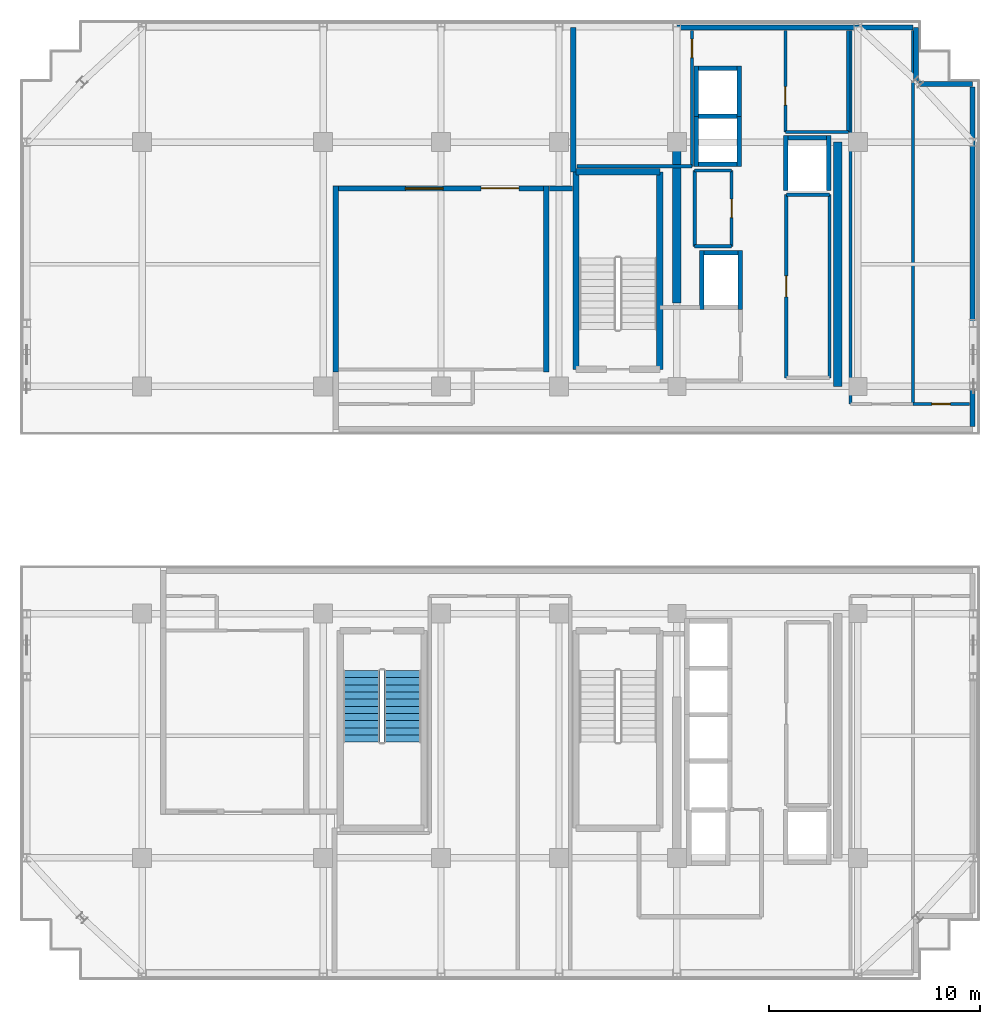
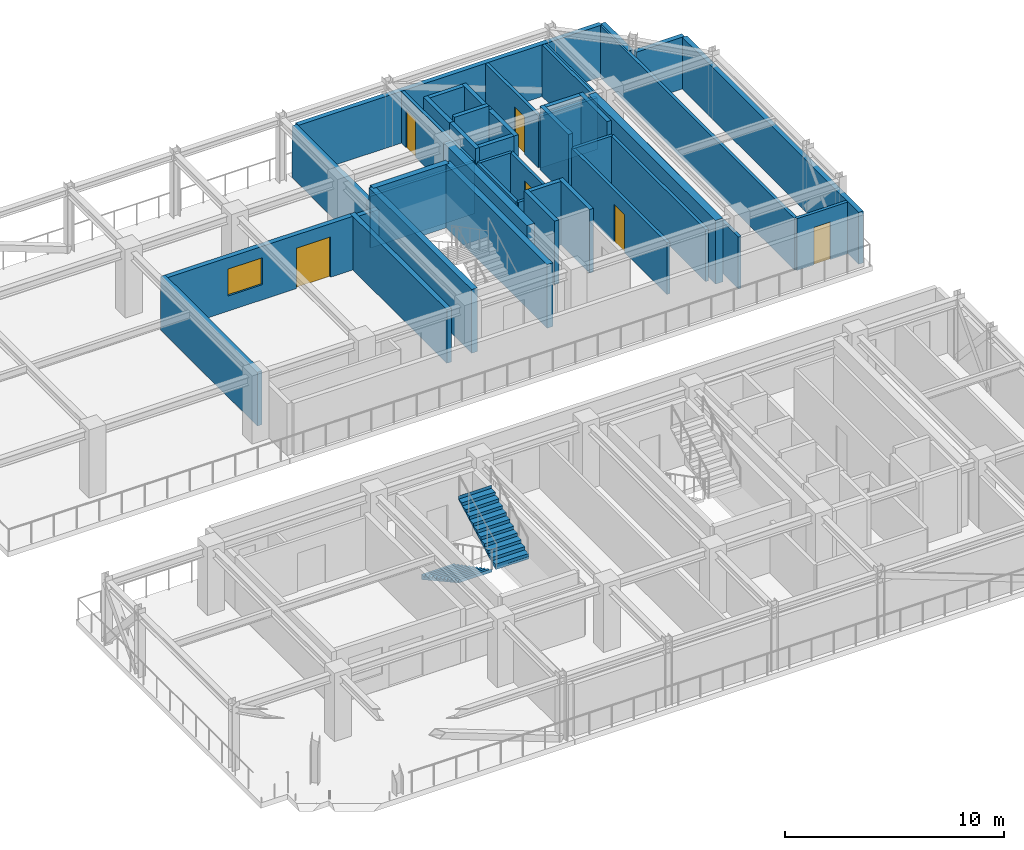
# One storey, part 7 of 14: 42 walls, 6 doors, 2 stair flights, 1 window, 7 openings, 1 element without a shape of its own.
"""IFC4 building model written with IfcOpenShell, lengths in metres."""

from ifc_helpers import new_model, si_unit, direction, frame, frame_2d, origin, place, context, subcontext, project, spatial, polyline, rectangle, outline, extrude, source, transform, mapped, material, layer, layer_set, type_object, element, fill, aggregate, save


model = new_model("IFC4")

# Units and contexts
model_context = context("Model", 3, precision=1e-05, world=origin(), true_north=direction((0.0, 1.0)))
body_context = subcontext(model_context, "Body", "Model", "MODEL_VIEW")
ifc_project = project(units=[si_unit("LENGTHUNIT", "METRE"), si_unit("AREAUNIT", "SQUARE_METRE"), si_unit("VOLUMEUNIT", "CUBIC_METRE"), si_unit("PLANEANGLEUNIT", "RADIAN"), si_unit("MASSUNIT", "GRAM", prefix="KILO")], contexts=[model_context])

# Site, building, storey
site_placement = place(None, origin())
site = spatial("IfcSite", under=ifc_project, at=site_placement, CompositionType="ELEMENT")
building_placement = place(site_placement, origin())
building = spatial("IfcBuilding", under=site, at=building_placement, Name="Nahalor Promenade Grand Hotel", CompositionType="ELEMENT")
storey_placement = place(building_placement, frame((0.0, 0.0, 296.5)))
storey = spatial("IfcBuildingStorey", under=building, at=storey_placement, Name="L76", CompositionType="ELEMENT", Elevation=296.5)

# Walls
ifc_material_1 = material(Name="Concrete B-50 (C40/50)", Category="concrete")
ifc_layer_1 = layer(ifc_material_1, 0.39990234375)
ifc_layer_set_1 = layer_set([ifc_layer_1], Name="Concrete B-50 (C40/50)")
wall_type_1 = type_object("IfcWallType", Name="Wall-CoreShear-400", PredefinedType="SHEAR", material=ifc_layer_set_1)
shared_shape_1 = source(origin(), body_context, "Body", "SweptSolid", [
    extrude(rectangle(XDim=7.64990234375, YDim=0.39990234375, at=frame_2d((3.824951171875, 0.0))), origin(), (0.0, 0.0, 1.0), 3.550048828125),
])
wall_1_placement = place(storey_placement, frame((8.39990234375, 9.35009765625, 0.0), z_axis=(0.0, 0.0, 1.0), x_axis=(0.0, 1.0, 0.0)))
element("IfcWall", 1, at=wall_1_placement, inside=storey, type_object=wall_type_1, Name="CWALL-L76-NW", PredefinedType="SHEAR", context=body_context, shape_type="MappedRepresentation", body=[
    mapped(shared_shape_1, transform((0.0, 0.0, 0.0), scale=1.0)),
])
shared_shape_2 = source(origin(), body_context, "Body", "SweptSolid", [
    extrude(rectangle(XDim=11.60009765625, YDim=0.39990234375, at=frame_2d((5.800048828125, 0.0))), origin(), (0.0, 0.0, 1.0), 3.550048828125),
])
wall_2_placement = place(storey_placement, frame((16.050048828125, 5.39990234375, 0.0), z_axis=(0.0, 0.0, 1.0), x_axis=(0.0, 1.0, 0.0)))
element("IfcWall", 2, at=wall_2_placement, inside=storey, type_object=wall_type_1, Name="CWALL-L76-NE", PredefinedType="SHEAR", context=body_context, shape_type="MappedRepresentation", body=[
    mapped(shared_shape_2, transform((0.0, 0.0, 0.0), scale=1.0)),
])
ifc_layer_2 = layer(ifc_material_1, 0.300048828125)
ifc_layer_set_2 = layer_set([ifc_layer_2], Name="Concrete B-50 (C40/50)")
wall_type_2 = type_object("IfcWallType", Name="Wall-ShaftShear-300", PredefinedType="SHEAR", material=ifc_layer_set_2)
shared_shape_3 = source(origin(), body_context, "Body", "SweptSolid", [
    extrude(rectangle(XDim=3.97998046875, YDim=0.300048828125, at=frame_2d((1.989990234375, 0.0))), origin(), (0.0, 0.0, 1.0), 3.550048828125),
])
wall_3_placement = place(storey_placement, frame((3.610107421875, 15.590087890625, 0.0), z_axis=(0.0, 0.0, 1.0), x_axis=(1.0, 0.0, 0.0)))
element("IfcWall", 3, at=wall_3_placement, inside=storey, type_object=wall_type_2, Name="L76 Exit Stair ST1 Shaft Wall N", PredefinedType="SHEAR", context=body_context, shape_type="MappedRepresentation", body=[
    mapped(shared_shape_3, transform((0.0, 0.0, 0.0), scale=1.0)),
])
shared_shape_4 = source(origin(), body_context, "Body", "SweptSolid", [
    extrude(rectangle(XDim=9.380126953125, YDim=0.300048828125, at=frame_2d((4.68994140625, 0.0))), origin(), (0.0, 0.0, 1.0), 3.550048828125),
])
for number, where, z_axis, x_axis, name in (
    (4, (3.610107421875, 6.2099609375, 0.0), (0.0, 0.0, 1.0), (0.0, 1.0, 0.0), "L76 Exit Stair ST1 Shaft Wall W"),
    (5, (7.590087890625, 6.2099609375, 0.0), (0.0, 0.0, 1.0), (0.0, 1.0, 0.0), "L76 Exit Stair ST1 Shaft Wall E"),
):
    element("IfcWall", number, at=place(storey_placement, frame(where, z_axis=z_axis, x_axis=x_axis)), inside=storey, type_object=wall_type_2, Name=name, PredefinedType="SHEAR", context=body_context, shape_type="MappedRepresentation", body=[
        mapped(shared_shape_4, transform((0.0, 0.0, 0.0), scale=1.0)),
    ])
ifc_layer_3 = layer(ifc_material_1, 0.219970703125)
ifc_layer_set_3 = layer_set([ifc_layer_3], Name="Concrete B-50 (C40/50)")
wall_type_3 = type_object("IfcWallType", Name="Wall-LiftShaft-220", PredefinedType="SHEAR", material=ifc_layer_set_3)
shared_shape_5 = source(origin(), body_context, "Body", "SweptSolid", [
    extrude(rectangle(XDim=1.820068359375, YDim=0.219970703125, at=frame_2d((0.91015625, 0.0))), origin(), (0.0, 0.0, 1.0), 3.550048828125),
])
for number, where, z_axis, x_axis, name in (
    (6, (9.43994140625, 15.949951171875, 0.0), (0.0, 0.0, 1.0), (1.0, 0.0, 0.0), "L76 Lift OB1 Hoistway Wall S"),
    (7, (9.43994140625, 20.5, 0.0), (0.0, 0.0, 1.0), (1.0, 0.0, 0.0), "L76 Lift OB2 Hoistway Wall N"),
    (8, (13.68994140625, 17.199951171875, 0.0), (0.0, 0.0, 1.0), (1.0, 0.0, 0.0), "L76 Lift SV1 Hoistway Wall N"),
):
    element("IfcWall", number, at=place(storey_placement, frame(where, z_axis=z_axis, x_axis=x_axis)), inside=storey, type_object=wall_type_3, Name=name, PredefinedType="SHEAR", context=body_context, shape_type="MappedRepresentation", body=[
        mapped(shared_shape_5, transform((0.0, 0.0, 0.0), scale=1.0)),
    ])
shared_shape_6 = source(origin(), body_context, "Body", "SweptSolid", [
    extrude(rectangle(XDim=1.820068359375, YDim=0.219970703125, at=frame_2d((0.91015625, 0.0))), origin(), (0.0, 0.0, 1.0), 3.85009765625),
])
wall_4_placement = place(storey_placement, frame((9.43994140625, 18.22509765625, 0.0), z_axis=(0.0, 0.0, 1.0), x_axis=(1.0, 0.0, 0.0)))
element("IfcWall", 9, at=wall_4_placement, inside=storey, type_object=wall_type_3, Name="L76 Lift OB1 Hoistway Wall N", PredefinedType="SHEAR", context=body_context, shape_type="MappedRepresentation", body=[
    mapped(shared_shape_6, transform((0.0, 0.0, 0.0), scale=1.0)),
])
shared_shape_7 = source(origin(), body_context, "Body", "SweptSolid", [
    extrude(rectangle(XDim=2.385009765625, YDim=0.219970703125, at=frame_2d((1.1923828125, 0.0))), origin(), (0.0, 0.0, 1.0), 3.550048828125),
])
for number, where, z_axis, x_axis, name in (
    (10, (9.330078125, 15.840087890625, 0.0), (0.0, 0.0, 1.0), (0.0, 1.0, 0.0), "L76 Lift OB1 Hoistway Wall W"),
    (11, (11.3701171875, 15.840087890625, 0.0), (0.0, 0.0, 1.0), (0.0, 1.0, 0.0), "L76 Lift OB1 Hoistway Wall E"),
    (12, (9.330078125, 18.22509765625, 0.0), (0.0, 0.0, 1.0), (0.0, 1.0, 0.0), "L76 Lift OB2 Hoistway Wall W"),
    (13, (11.3701171875, 18.22509765625, 0.0), (0.0, 0.0, 1.0), (0.0, 1.0, 0.0), "L76 Lift OB2 Hoistway Wall E"),
):
    element("IfcWall", number, at=place(storey_placement, frame(where, z_axis=z_axis, x_axis=x_axis)), inside=storey, type_object=wall_type_3, Name=name, PredefinedType="SHEAR", context=body_context, shape_type="MappedRepresentation", body=[
        mapped(shared_shape_7, transform((0.0, 0.0, 0.0), scale=1.0)),
    ])
shared_shape_8 = source(origin(), body_context, "Body", "SweptSolid", [
    extrude(rectangle(XDim=2.820068359375, YDim=0.219970703125, at=frame_2d((1.41015625, 0.0))), origin(), (0.0, 0.0, 1.0), 3.550048828125),
])
for number, where, z_axis, x_axis, name in (
    (14, (9.580078125, 9.0400390625, 0.0), (0.0, 0.0, 1.0), (0.0, 1.0, 0.0), "L76 Lift FL1 Hoistway Wall W"),
    (15, (11.419921875, 9.0400390625, 0.0), (0.0, 0.0, 1.0), (0.0, 1.0, 0.0), "L76 Lift FL1 Hoistway Wall E"),
):
    element("IfcWall", number, at=place(storey_placement, frame(where, z_axis=z_axis, x_axis=x_axis)), inside=storey, type_object=wall_type_3, Name=name, PredefinedType="SHEAR", context=body_context, shape_type="MappedRepresentation", body=[
        mapped(shared_shape_8, transform((0.0, 0.0, 0.0), scale=1.0)),
    ])
shared_shape_9 = source(origin(), body_context, "Body", "SweptSolid", [
    extrude(rectangle(XDim=1.6201171875, YDim=0.219970703125, at=frame_2d((0.81005859375, 0.0))), origin(), (0.0, 0.0, 1.0), 3.550048828125),
])
wall_5_placement = place(storey_placement, frame((9.68994140625, 11.75, 0.0), z_axis=(0.0, 0.0, 1.0), x_axis=(1.0, 0.0, 0.0)))
element("IfcWall", 16, at=wall_5_placement, inside=storey, type_object=wall_type_3, Name="L76 Lift FL1 Hoistway Wall N", PredefinedType="SHEAR", context=body_context, shape_type="MappedRepresentation", body=[
    mapped(shared_shape_9, transform((0.0, 0.0, 0.0), scale=1.0)),
])
shared_shape_10 = source(origin(), body_context, "Body", "SweptSolid", [
    extrude(rectangle(XDim=2.610107421875, YDim=0.219970703125, at=frame_2d((1.30517578125, 0.0))), origin(), (0.0, 0.0, 1.0), 3.550048828125),
])
for number, where, z_axis, x_axis, name in (
    (17, (13.580078125, 14.699951171875, 0.0), (0.0, 0.0, 1.0), (0.0, 1.0, 0.0), "L76 Lift SV1 Hoistway Wall W"),
    (18, (15.6201171875, 14.699951171875, 0.0), (0.0, 0.0, 1.0), (0.0, 1.0, 0.0), "L76 Lift SV1 Hoistway Wall E"),
):
    element("IfcWall", number, at=place(storey_placement, frame(where, z_axis=z_axis, x_axis=x_axis)), inside=storey, type_object=wall_type_3, Name=name, PredefinedType="SHEAR", context=body_context, shape_type="MappedRepresentation", body=[
        mapped(shared_shape_10, transform((0.0, 0.0, 0.0), scale=1.0)),
    ])
ifc_material_2 = material(Name="Concrete B-40 (C32/40)", Category="concrete")
ifc_layer_4 = layer(ifc_material_2, 0.25)
ifc_layer_set_4 = layer_set([ifc_layer_4], Name="Concrete B-40 (C32/40)")
wall_type_4 = type_object("IfcWallType", Name="Wall-BronzePier-250", PredefinedType="STANDARD", material=ifc_layer_set_4)
shared_shape_11 = source(origin(), body_context, "Body", "SweptSolid", [
    extrude(rectangle(XDim=8.83984375, YDim=0.25, at=frame_2d((4.419921875, 0.0))), origin(), (0.0, 0.0, 1.0), 2.989990234375),
])
for number, where, z_axis, x_axis, name in (
    (19, (-7.800048828125, 6.080078125, 0.0), (0.0, 0.0, 1.0), (0.0, 1.0, 0.0), "W-L76-WPGAL-N-W"),
    (20, (2.199951171875, 6.080078125, 0.0), (0.0, 0.0, 1.0), (0.0, 1.0, 0.0), "W-L76-WPGAL-N-E"),
):
    element("IfcWall", number, at=place(storey_placement, frame(where, z_axis=z_axis, x_axis=x_axis)), inside=storey, type_object=wall_type_4, Name=name, PredefinedType="STANDARD", context=body_context, shape_type="MappedRepresentation", body=[
        mapped(shared_shape_11, transform((0.0, 0.0, 0.0), scale=1.0)),
    ])

# Wall, openings, door, window
shared_shape_12 = source(origin(), body_context, "Body", "SweptSolid", [
    extrude(rectangle(XDim=9.760009765625, YDim=0.25, at=frame_2d((4.8798828125, 0.0))), origin(), (0.0, 0.0, 1.0), 2.989990234375),
])
wall_6_placement = place(storey_placement, frame((-7.679931640625, 14.800048828125, 0.0), z_axis=(0.0, 0.0, 1.0), x_axis=(1.0, 0.0, 0.0)))
wall_6 = element("IfcWall", 21, at=wall_6_placement, inside=storey, type_object=wall_type_4, Name="W-L76-WPGAL-N-N", PredefinedType="STANDARD", context=body_context, shape_type="MappedRepresentation", body=[
    mapped(shared_shape_12, transform((0.0, 0.0, 0.0), scale=1.0)),
])
opening_1_placement = place(wall_6_placement, frame((6.780029296875, 0.0, 0.0)))
opening_1 = element("IfcOpeningElement", 22, at=opening_1_placement, cuts=wall_6, Name="Opening D-BC1", PredefinedType="OPENING", context=body_context, shape_type="SweptSolid", body=[
    extrude(rectangle(XDim=1.800048828125, YDim=2.25, at=frame_2d((0.89990234375, 1.125))), frame((0.0, 0.135009765625, 0.0), z_axis=(0.0, -1.0, 0.0), x_axis=(1.0, 0.0, 0.0)), (0.0, 0.0, 1.0), 0.27001953125),
])
opening_2_placement = place(wall_6_placement, frame((3.179931640625, 0.0, 0.85009765625)))
opening_2 = element("IfcOpeningElement", 23, at=opening_2_placement, cuts=wall_6, Name="Opening WN-01", PredefinedType="OPENING", context=body_context, shape_type="SweptSolid", body=[
    extrude(rectangle(XDim=1.800048828125, YDim=1.5, at=frame_2d((0.89990234375, 0.75))), frame((0.0, 0.135009765625, 0.0), z_axis=(0.0, -1.0, 0.0), x_axis=(1.0, 0.0, 0.0)), (0.0, 0.0, 1.0), 0.27001953125),
])
ifc_material_3 = material(Name="Anodised Bronze Aluminium EN AW-6063 T6", Category="aluminium")
door_type_1 = type_object("IfcDoorType", Name="Door-BalconySlide-1800", OperationType="DOUBLE_DOOR_SLIDING", PredefinedType="DOOR", material=ifc_material_3)
shared_shape_13 = source(origin(), body_context, "Body", "SweptSolid", [
    extrude(rectangle(XDim=1.800048828125, YDim=2.25, at=frame_2d((0.89990234375, 1.125))), frame((0.0, 0.02490234375, 0.0), z_axis=(0.0, -1.0, 0.0), x_axis=(1.0, 0.0, 0.0)), (0.0, 0.0, 1.0), 0.050048828125),
])
door_1_placement = place(opening_1_placement, origin())
door_1 = element("IfcDoor", 24, at=door_1_placement, inside=storey, type_object=door_type_1, Name="DR-L76-WP-N", OperationType="DOUBLE_DOOR_SLIDING", OverallHeight=2.25, OverallWidth=1.800048828125, PredefinedType="DOOR", context=body_context, shape_type="MappedRepresentation", body=[
    mapped(shared_shape_13, transform((0.0, 0.0, 0.0), scale=1.0)),
])
fill(opening_1, door_1)
ifc_material_4 = material(Name="Low-E Laminated Solar Glass", Category="glass")
window_type = type_object("IfcWindowType", Name="Win-ChicagoBay-1800x1500", PartitioningType="SINGLE_PANEL", PredefinedType="WINDOW", material=ifc_material_4)
shared_shape_14 = source(origin(), body_context, "Body", "SweptSolid", [
    extrude(rectangle(XDim=1.800048828125, YDim=1.5, at=frame_2d((0.89990234375, 0.75))), frame((0.0, 0.030029296875, 0.0), z_axis=(0.0, -1.0, 0.0), x_axis=(1.0, 0.0, 0.0)), (0.0, 0.0, 1.0), 0.06005859375),
])
window_placement = place(opening_2_placement, origin())
window = element("IfcWindow", 25, at=window_placement, inside=storey, type_object=window_type, Name="WN-L76-WP-N", OverallHeight=1.5, OverallWidth=1.800048828125, PartitioningType="SINGLE_PANEL", PredefinedType="WINDOW", context=body_context, shape_type="MappedRepresentation", body=[
    mapped(shared_shape_14, transform((0.0, 0.0, 0.0), scale=1.0)),
])
fill(opening_2, window)

# Walls
ifc_material_5 = material(Name="Acoustic Mineral Gypsum", Category="gypsum")
ifc_layer_5 = layer(ifc_material_5, 0.14990234375)
ifc_layer_set_5 = layer_set([ifc_layer_5], Name="Acoustic Mineral Gypsum")
wall_type_5 = type_object("IfcWallType", Name="Wall-PartService-150", PredefinedType="PARTITIONING", material=ifc_layer_set_5)
shared_shape_15 = source(origin(), body_context, "Body", "SweptSolid", [
    extrude(rectangle(XDim=1.75, YDim=0.14990234375, at=frame_2d((0.875, 0.0))), origin(), (0.0, 0.0, 1.0), 2.889892578125),
])
for number, where, z_axis, x_axis, name in (
    (26, (9.25, 12.050048828125, 0.0), (0.0, 0.0, 1.0), (1.0, 0.0, 0.0), "W-L76-CK1A-S"),
    (27, (9.25, 15.64990234375, 0.0), (0.0, 0.0, 1.0), (1.0, 0.0, 0.0), "W-L76-CK1A-N"),
):
    element("IfcWall", number, at=place(storey_placement, frame(where, z_axis=z_axis, x_axis=x_axis)), inside=storey, type_object=wall_type_5, Name=name, PredefinedType="PARTITIONING", context=body_context, shape_type="MappedRepresentation", body=[
        mapped(shared_shape_15, transform((0.0, 0.0, 0.0), scale=1.0)),
    ])
ifc_layer_6 = layer(ifc_material_5, 0.159912109375)
ifc_layer_set_6 = layer_set([ifc_layer_6], Name="Acoustic Mineral Gypsum")
wall_type_6 = type_object("IfcWallType", Name="Wall-PartCorridor-160", PredefinedType="PARTITIONING", material=ifc_layer_set_6)
shared_shape_16 = source(origin(), body_context, "Body", "SweptSolid", [
    extrude(rectangle(XDim=2.0498046875, YDim=0.159912109375, at=frame_2d((1.02490234375, 0.0))), origin(), (0.0, 0.0, 1.0), 2.889892578125),
])
wall_7_placement = place(storey_placement, frame((13.60009765625, 14.5, 0.0), z_axis=(0.0, 0.0, 1.0), x_axis=(1.0, 0.0, 0.0)))
element("IfcWall", 28, at=wall_7_placement, inside=storey, type_object=wall_type_6, Name="W-L76-FRB1-N", PredefinedType="PARTITIONING", context=body_context, shape_type="MappedRepresentation", body=[
    mapped(shared_shape_16, transform((0.0, 0.0, 0.0), scale=1.0)),
])
shared_shape_17 = source(origin(), body_context, "Body", "SweptSolid", [
    extrude(rectangle(XDim=3.599853515625, YDim=0.14990234375, at=frame_2d((1.7998046875, 0.0))), origin(), (0.0, 0.0, 1.0), 2.889892578125),
])
wall_8_placement = place(storey_placement, frame((9.25, 12.050048828125, 0.0), z_axis=(0.0, 0.0, 1.0), x_axis=(0.0, 1.0, 0.0)))
element("IfcWall", 29, at=wall_8_placement, inside=storey, type_object=wall_type_5, Name="W-L76-CK1A-W", PredefinedType="PARTITIONING", context=body_context, shape_type="MappedRepresentation", body=[
    mapped(shared_shape_17, transform((0.0, 0.0, 0.0), scale=1.0)),
])

# Wall, opening, door
wall_9_placement = place(storey_placement, frame((11.0, 12.050048828125, 0.0), z_axis=(0.0, 0.0, 1.0), x_axis=(0.0, 1.0, 0.0)))
wall_9 = element("IfcWall", 30, at=wall_9_placement, inside=storey, type_object=wall_type_5, Name="W-L76-CK1A-E", PredefinedType="PARTITIONING", context=body_context, shape_type="MappedRepresentation", body=[
    mapped(shared_shape_17, transform((0.0, 0.0, 0.0), scale=1.0)),
])
opening_3_placement = place(wall_9_placement, frame((1.360107421875, 0.0, 0.0)))
opening_3 = element("IfcOpeningElement", 31, at=opening_3_placement, cuts=wall_9, Name="Opening D-03", PredefinedType="OPENING", context=body_context, shape_type="SweptSolid", body=[
    extrude(rectangle(XDim=0.8798828125, YDim=2.10009765625, at=frame_2d((0.43994140625, 1.050048828125))), frame((0.0, 0.0849609375, 0.0), z_axis=(0.0, -1.0, 0.0), x_axis=(1.0, 0.0, 0.0)), (0.0, 0.0, 1.0), 0.169921875),
])
ifc_material_6 = material(Name="Fire-Rated Timber Composite", Category="wood")
door_type_2 = type_object("IfcDoorType", Name="Door-BathSwing-880", OperationType="NOTDEFINED", PredefinedType="DOOR", material=ifc_material_6)
shared_shape_18 = source(origin(), body_context, "Body", "SweptSolid", [
    extrude(rectangle(XDim=0.8798828125, YDim=2.10009765625, at=frame_2d((0.43994140625, 1.050048828125))), frame((0.0, 0.02490234375, 0.0), z_axis=(0.0, -1.0, 0.0), x_axis=(1.0, 0.0, 0.0)), (0.0, 0.0, 1.0), 0.050048828125),
])
door_2_placement = place(opening_3_placement, origin())
door_2 = element("IfcDoor", 32, at=door_2_placement, inside=storey, type_object=door_type_2, Name="DR-L76-CK1A", OperationType="SINGLE_SWING_LEFT", OverallHeight=2.10009765625, OverallWidth=0.8798828125, PredefinedType="DOOR", context=body_context, shape_type="MappedRepresentation", body=[
    mapped(shared_shape_18, transform((0.0, 0.0, 0.0), scale=1.0)),
])
fill(opening_3, door_2)

# Walls
shared_shape_19 = source(origin(), body_context, "Body", "SweptSolid", [
    extrude(rectangle(XDim=1.08984375, YDim=0.25, at=frame_2d((0.544921875, 0.0))), origin(), (0.0, 0.0, 1.0), 2.889892578125),
])
wall_10_placement = place(storey_placement, frame((2.360107421875, 14.800048828125, 0.0), z_axis=(0.0, 0.0, 1.0), x_axis=(1.0, 0.0, 0.0)))
element("IfcWall", 33, at=wall_10_placement, inside=storey, type_object=wall_type_4, Name="W-L76-WPENV-NM1", PredefinedType="STANDARD", context=body_context, shape_type="MappedRepresentation", body=[
    mapped(shared_shape_19, transform((0.0, 0.0, 0.0), scale=1.0)),
])
shared_shape_20 = source(origin(), body_context, "Body", "SweptSolid", [
    extrude(rectangle(XDim=6.85986328125, YDim=0.25, at=frame_2d((3.429931640625, 0.0))), origin(), (0.0, 0.0, 1.0), 2.889892578125),
])
wall_11_placement = place(storey_placement, frame((3.47998046875, 15.580078125, 0.0), z_axis=(0.0, 0.0, 1.0), x_axis=(0.0, 1.0, 0.0)))
element("IfcWall", 34, at=wall_11_placement, inside=storey, type_object=wall_type_4, Name="W-L76-WPENV-NM2", PredefinedType="STANDARD", context=body_context, shape_type="MappedRepresentation", body=[
    mapped(shared_shape_20, transform((0.0, 0.0, 0.0), scale=1.0)),
])
shared_shape_21 = source(origin(), body_context, "Body", "SweptSolid", [
    extrude(rectangle(XDim=16.0, YDim=0.25, at=frame_2d((8.0, 0.0))), origin(), (0.0, 0.0, 1.0), 2.889892578125),
])
wall_12_placement = place(storey_placement, frame((3.6201171875, 22.43994140625, 0.0), z_axis=(0.0, 0.0, 1.0), x_axis=(1.0, 0.0, 0.0)))
element("IfcWall", 35, at=wall_12_placement, inside=storey, type_object=wall_type_4, Name="W-L76-WPENV-NN", PredefinedType="STANDARD", context=body_context, shape_type="MappedRepresentation", body=[
    mapped(shared_shape_21, transform((0.0, 0.0, 0.0), scale=1.0)),
])
shared_shape_22 = source(origin(), body_context, "Body", "SweptSolid", [
    extrude(rectangle(XDim=2.5400390625, YDim=0.25, at=frame_2d((1.27001953125, 0.0))), origin(), (0.0, 0.0, 1.0), 2.889892578125),
])
for number, where, z_axis, x_axis, name in (
    (36, (19.760009765625, 19.89990234375, 0.0), (0.0, 0.0, 1.0), (0.0, 1.0, 0.0), "W-L76-WPENV-NNE1"),
    (37, (19.89990234375, 19.760009765625, 0.0), (0.0, 0.0, 1.0), (1.0, 0.0, 0.0), "W-L76-WPENV-NNE2"),
):
    element("IfcWall", number, at=place(storey_placement, frame(where, z_axis=z_axis, x_axis=x_axis)), inside=storey, type_object=wall_type_4, Name=name, PredefinedType="STANDARD", context=body_context, shape_type="MappedRepresentation", body=[
        mapped(shared_shape_22, transform((0.0, 0.0, 0.0), scale=1.0)),
    ])
shared_shape_23 = source(origin(), body_context, "Body", "SweptSolid", [
    extrude(rectangle(XDim=16.1201171875, YDim=0.25, at=frame_2d((8.06005859375, 0.0))), origin(), (0.0, 0.0, 1.0), 2.889892578125),
])
wall_13_placement = place(storey_placement, frame((22.43994140625, 3.5, 0.0), z_axis=(0.0, 0.0, 1.0), x_axis=(0.0, 1.0, 0.0)))
element("IfcWall", 38, at=wall_13_placement, inside=storey, type_object=wall_type_4, Name="W-L76-WPENV-NE", PredefinedType="STANDARD", context=body_context, shape_type="MappedRepresentation", body=[
    mapped(shared_shape_23, transform((0.0, 0.0, 0.0), scale=1.0)),
])

# Wall, opening, door
shared_shape_24 = source(origin(), body_context, "Body", "SweptSolid", [
    extrude(rectangle(XDim=8.699951171875, YDim=0.159912109375, at=frame_2d((4.35009765625, 0.0))), origin(), (0.0, 0.0, 1.0), 2.889892578125),
])
wall_14_placement = place(storey_placement, frame((13.60009765625, 5.800048828125, 0.0), z_axis=(0.0, 0.0, 1.0), x_axis=(0.0, 1.0, 0.0)))
wall_14 = element("IfcWall", 39, at=wall_14_placement, inside=storey, type_object=wall_type_6, Name="W-L76-FRB1-W", PredefinedType="PARTITIONING", context=body_context, shape_type="MappedRepresentation", body=[
    mapped(shared_shape_24, transform((0.0, 0.0, 0.0), scale=1.0)),
])
opening_4_placement = place(wall_14_placement, frame((3.85009765625, 0.0, 0.0)))
opening_4 = element("IfcOpeningElement", 40, at=opening_4_placement, cuts=wall_14, Name="Opening D-04", PredefinedType="OPENING", context=body_context, shape_type="SweptSolid", body=[
    extrude(rectangle(XDim=1.0, YDim=2.10009765625, at=frame_2d((0.5, 1.050048828125))), frame((0.0, 0.08984375, 0.0), z_axis=(0.0, -1.0, 0.0), x_axis=(1.0, 0.0, 0.0)), (0.0, 0.0, 1.0), 0.179931640625),
])
ifc_material_7 = material(Name="Steel S355JR", Category="steel")
door_type_3 = type_object("IfcDoorType", Name="Door-ServiceFire-1000", OperationType="NOTDEFINED", PredefinedType="DOOR", material=ifc_material_7)
shared_shape_25 = source(origin(), body_context, "Body", "SweptSolid", [
    extrude(rectangle(XDim=1.0, YDim=2.10009765625, at=frame_2d((0.5, 1.050048828125))), frame((0.0, 0.02490234375, 0.0), z_axis=(0.0, -1.0, 0.0), x_axis=(1.0, 0.0, 0.0)), (0.0, 0.0, 1.0), 0.050048828125),
])
door_3_placement = place(opening_4_placement, frame((1.0, 0.0, 0.0), z_axis=(0.0, 0.0, 1.0), x_axis=(-1.0, 0.0, 0.0)))
door_3 = element("IfcDoor", 41, at=door_3_placement, inside=storey, type_object=door_type_3, Name="DR-L76-FRB1", OperationType="SINGLE_SWING_RIGHT", OverallHeight=2.10009765625, OverallWidth=1.0, PredefinedType="DOOR", context=body_context, shape_type="MappedRepresentation", body=[
    mapped(shared_shape_25, transform((0.0, 0.0, 0.0), scale=1.0)),
])
fill(opening_4, door_3)

# Walls
wall_15_placement = place(storey_placement, frame((15.64990234375, 5.800048828125, 0.0), z_axis=(0.0, 0.0, 1.0), x_axis=(0.0, 1.0, 0.0)))
element("IfcWall", 42, at=wall_15_placement, inside=storey, type_object=wall_type_6, Name="W-L76-FRB1-E", PredefinedType="PARTITIONING", context=body_context, shape_type="MappedRepresentation", body=[
    mapped(shared_shape_24, transform((0.0, 0.0, 0.0), scale=1.0)),
])
shared_shape_26 = source(origin(), body_context, "Body", "SweptSolid", [
    extrude(rectangle(XDim=5.47021484375, YDim=0.159912109375, at=frame_2d((2.735107421875, 0.0))), origin(), (0.0, 0.0, 1.0), 2.889892578125),
])
wall_16_placement = place(storey_placement, frame((3.64990234375, 15.85009765625, 0.0), z_axis=(0.0, 0.0, 1.0), x_axis=(1.0, 0.0, 0.0)))
element("IfcWall", 43, at=wall_16_placement, inside=storey, type_object=wall_type_6, Name="W-L76-WPNT1-S", PredefinedType="PARTITIONING", context=body_context, shape_type="MappedRepresentation", body=[
    mapped(shared_shape_26, transform((0.0, 0.0, 0.0), scale=1.0)),
])

# Wall, opening, door
shared_shape_27 = source(origin(), body_context, "Body", "SweptSolid", [
    extrude(rectangle(XDim=6.449951171875, YDim=0.159912109375, at=frame_2d((3.22509765625, 0.0))), origin(), (0.0, 0.0, 1.0), 2.889892578125),
])
wall_17_placement = place(storey_placement, frame((9.1201171875, 15.85009765625, 0.0), z_axis=(0.0, 0.0, 1.0), x_axis=(0.0, 1.0, 0.0)))
wall_17 = element("IfcWall", 44, at=wall_17_placement, inside=storey, type_object=wall_type_6, Name="W-L76-WPNT1-E", PredefinedType="PARTITIONING", context=body_context, shape_type="MappedRepresentation", body=[
    mapped(shared_shape_27, transform((0.0, 0.0, 0.0), scale=1.0)),
])
opening_5_placement = place(wall_17_placement, frame((5.159912109375, 0.0, 0.0)))
opening_5 = element("IfcOpeningElement", 45, at=opening_5_placement, cuts=wall_17, Name="Opening D-03", PredefinedType="OPENING", context=body_context, shape_type="SweptSolid", body=[
    extrude(rectangle(XDim=0.8798828125, YDim=2.10009765625, at=frame_2d((0.43994140625, 1.050048828125))), frame((0.0, 0.08984375, 0.0), z_axis=(0.0, -1.0, 0.0), x_axis=(1.0, 0.0, 0.0)), (0.0, 0.0, 1.0), 0.179931640625),
])
door_4_placement = place(opening_5_placement, origin())
door_4 = element("IfcDoor", 46, at=door_4_placement, inside=storey, type_object=door_type_2, Name="DR-L76-WPNT1", OperationType="SINGLE_SWING_LEFT", OverallHeight=2.10009765625, OverallWidth=0.8798828125, PredefinedType="DOOR", context=body_context, shape_type="MappedRepresentation", body=[
    mapped(shared_shape_18, transform((0.0, 0.0, 0.0), scale=1.0)),
])
fill(opening_5, door_4)

# Wall
shared_shape_28 = source(origin(), body_context, "Body", "SweptSolid", [
    extrude(rectangle(XDim=2.989990234375, YDim=0.159912109375, at=frame_2d((1.4951171875, 0.0))), origin(), (0.0, 0.0, 1.0), 2.889892578125),
])
wall_18_placement = place(storey_placement, frame((13.56005859375, 17.47998046875, 0.0), z_axis=(0.0, 0.0, 1.0), x_axis=(1.0, 0.0, 0.0)))
element("IfcWall", 47, at=wall_18_placement, inside=storey, type_object=wall_type_6, Name="W-L76-WPNNE-S", PredefinedType="PARTITIONING", context=body_context, shape_type="MappedRepresentation", body=[
    mapped(shared_shape_28, transform((0.0, 0.0, 0.0), scale=1.0)),
])

# Wall, opening, door
shared_shape_29 = source(origin(), body_context, "Body", "SweptSolid", [
    extrude(rectangle(XDim=4.820068359375, YDim=0.159912109375, at=frame_2d((2.41015625, 0.0))), origin(), (0.0, 0.0, 1.0), 2.889892578125),
])
wall_19_placement = place(storey_placement, frame((13.56005859375, 17.47998046875, 0.0), z_axis=(0.0, 0.0, 1.0), x_axis=(0.0, 1.0, 0.0)))
wall_19 = element("IfcWall", 48, at=wall_19_placement, inside=storey, type_object=wall_type_6, Name="W-L76-WPNNE-W", PredefinedType="PARTITIONING", context=body_context, shape_type="MappedRepresentation", body=[
    mapped(shared_shape_29, transform((0.0, 0.0, 0.0), scale=1.0)),
])
opening_6_placement = place(wall_19_placement, frame((1.280029296875, 0.0, 0.0)))
opening_6 = element("IfcOpeningElement", 49, at=opening_6_placement, cuts=wall_19, Name="Opening D-03", PredefinedType="OPENING", context=body_context, shape_type="SweptSolid", body=[
    extrude(rectangle(XDim=0.8798828125, YDim=2.10009765625, at=frame_2d((0.43994140625, 1.050048828125))), frame((0.0, 0.08984375, 0.0), z_axis=(0.0, -1.0, 0.0), x_axis=(1.0, 0.0, 0.0)), (0.0, 0.0, 1.0), 0.179931640625),
])
door_5_placement = place(opening_6_placement, frame((0.8798828125, 0.0, 0.0), z_axis=(0.0, 0.0, 1.0), x_axis=(-1.0, 0.0, 0.0)))
door_5 = element("IfcDoor", 50, at=door_5_placement, inside=storey, type_object=door_type_2, Name="DR-L76-WPNNE", OperationType="SINGLE_SWING_RIGHT", OverallHeight=2.10009765625, OverallWidth=0.8798828125, PredefinedType="DOOR", context=body_context, shape_type="MappedRepresentation", body=[
    mapped(shared_shape_18, transform((0.0, 0.0, 0.0), scale=1.0)),
])
fill(opening_6, door_5)

# Walls
wall_20_placement = place(storey_placement, frame((16.550048828125, 17.47998046875, 0.0), z_axis=(0.0, 0.0, 1.0), x_axis=(0.0, 1.0, 0.0)))
element("IfcWall", 51, at=wall_20_placement, inside=storey, type_object=wall_type_6, Name="W-L76-WPNNE-E", PredefinedType="PARTITIONING", context=body_context, shape_type="MappedRepresentation", body=[
    mapped(shared_shape_29, transform((0.0, 0.0, 0.0), scale=1.0)),
])
shared_shape_30 = source(origin(), body_context, "Body", "SweptSolid", [
    extrude(rectangle(XDim=17.739990234375, YDim=0.159912109375, at=frame_2d((8.8701171875, 0.0))), origin(), (0.0, 0.0, 1.0), 2.889892578125),
])
for number, where, z_axis, x_axis, name in (
    (52, (16.64990234375, 4.56005859375, 0.0), (0.0, 0.0, 1.0), (0.0, 1.0, 0.0), "W-L76-WPNE1-W"),
    (53, (19.6201171875, 4.56005859375, 0.0), (0.0, 0.0, 1.0), (0.0, 1.0, 0.0), "W-L76-WPNE1-E"),
):
    element("IfcWall", number, at=place(storey_placement, frame(where, z_axis=z_axis, x_axis=x_axis)), inside=storey, type_object=wall_type_6, Name=name, PredefinedType="PARTITIONING", context=body_context, shape_type="MappedRepresentation", body=[
        mapped(shared_shape_30, transform((0.0, 0.0, 0.0), scale=1.0)),
    ])

# Wall, opening, door
shared_shape_31 = source(origin(), body_context, "Body", "SweptSolid", [
    extrude(rectangle(XDim=2.679931640625, YDim=0.159912109375, at=frame_2d((1.33984375, 0.0))), origin(), (0.0, 0.0, 1.0), 2.889892578125),
])
wall_21_placement = place(storey_placement, frame((19.6201171875, 4.56005859375, 0.0), z_axis=(0.0, 0.0, 1.0), x_axis=(1.0, 0.0, 0.0)))
wall_21 = element("IfcWall", 54, at=wall_21_placement, inside=storey, type_object=wall_type_6, Name="W-L76-WPNE2-S", PredefinedType="PARTITIONING", context=body_context, shape_type="MappedRepresentation", body=[
    mapped(shared_shape_31, transform((0.0, 0.0, 0.0), scale=1.0)),
])
opening_7_placement = place(wall_21_placement, frame((0.889892578125, 0.0, 0.0)))
opening_7 = element("IfcOpeningElement", 55, at=opening_7_placement, cuts=wall_21, Name="Opening D-03", PredefinedType="OPENING", context=body_context, shape_type="SweptSolid", body=[
    extrude(rectangle(XDim=0.8798828125, YDim=2.10009765625, at=frame_2d((0.43994140625, 1.050048828125))), frame((0.0, 0.08984375, 0.0), z_axis=(0.0, -1.0, 0.0), x_axis=(1.0, 0.0, 0.0)), (0.0, 0.0, 1.0), 0.179931640625),
])
door_6_placement = place(opening_7_placement, origin())
door_6 = element("IfcDoor", 56, at=door_6_placement, inside=storey, type_object=door_type_2, Name="DR-L76-WPNE2", OperationType="SINGLE_SWING_RIGHT", OverallHeight=2.10009765625, OverallWidth=0.8798828125, PredefinedType="DOOR", context=body_context, shape_type="MappedRepresentation", body=[
    mapped(shared_shape_18, transform((0.0, 0.0, 0.0), scale=1.0)),
])
fill(opening_7, door_6)

# Stair, stair flights
stair_type = type_object("IfcStairType", Name="Stair-ST3", PredefinedType="HALF_TURN_STAIR", material=ifc_material_1)
stair_placement = place(storey_placement, origin())
stair = element("IfcStair", 57, at=stair_placement, inside=storey, type_object=stair_type, Name="L76 ST3", PredefinedType="HALF_TURN_STAIR")
ifc_layer_7 = layer(ifc_material_1, 0.199951171875)
ifc_layer_set_7 = layer_set([ifc_layer_7], Name="Concrete B-50 (C40/50)")
stair_flight_type = type_object("IfcStairFlightType", Name="Flight-ST3", PredefinedType="STRAIGHT", material=ifc_layer_set_7)
shared_shape_32 = source(origin(), body_context, "Body", "SweptSolid", [
    extrude(outline(polyline([(-0.00390625, -0.1201171875), (-0.00390625, 0.0), (0.0, 0.0), (0.0, 0.175048828125), (0.340087890625, 0.175048828125), (0.340087890625, 0.35009765625), (0.679931640625, 0.35009765625), (0.679931640625, 0.52490234375), (1.02001953125, 0.52490234375), (1.02001953125, 0.699951171875), (1.360107421875, 0.699951171875), (1.360107421875, 0.875), (1.699951171875, 0.875), (1.699951171875, 1.050048828125), (2.0400390625, 1.050048828125), (2.0400390625, 1.22509765625), (2.3798828125, 1.22509765625), (2.3798828125, 1.39990234375), (2.719970703125, 1.39990234375), (2.719970703125, 1.574951171875), (3.06005859375, 1.574951171875), (3.06005859375, 1.75), (3.39990234375, 1.75), (3.39990234375, 1.925048828125), (3.404052734375, 1.925048828125), (3.404052734375, 1.7451171875), (0.02001953125, -0.1201171875), (-0.00390625, -0.1201171875)])), frame((0.0, 0.875, 0.0), z_axis=(0.0, -1.0, 0.0), x_axis=(1.0, 0.0, 0.0)), (0.0, 0.0, 1.0), 1.75),
])
stair_flight_1_placement = place(storey_placement, frame((-6.574951171875, -8.10009765625, 0.0), z_axis=(0.0, 0.0, 1.0), x_axis=(0.0, -1.0, 0.0)))
stair_flight_1 = element("IfcStairFlight", 58, at=stair_flight_1_placement, type_object=stair_flight_type, Name="ST3 flight 1", NumberOfRisers=11, NumberOfTreads=10, PredefinedType="STRAIGHT", RiserHeight=0.175, TreadLength=0.34, context=body_context, shape_type="MappedRepresentation", body=[
    mapped(shared_shape_32, transform((0.0, 0.0, 0.0), scale=1.0)),
])
stair_flight_2_placement = place(storey_placement, frame((-4.625, -11.5, 1.925048828125), z_axis=(0.0, 0.0, 1.0), x_axis=(0.0, 1.0, 0.0)))
stair_flight_2 = element("IfcStairFlight", 59, at=stair_flight_2_placement, type_object=stair_flight_type, Name="ST3 flight 2", NumberOfRisers=11, NumberOfTreads=10, PredefinedType="STRAIGHT", RiserHeight=0.175, TreadLength=0.34, context=body_context, shape_type="MappedRepresentation", body=[
    mapped(shared_shape_32, transform((0.0, 0.0, 0.0), scale=1.0)),
])
aggregate(stair, [stair_flight_1, stair_flight_2])

save(model, "model.ifc")
